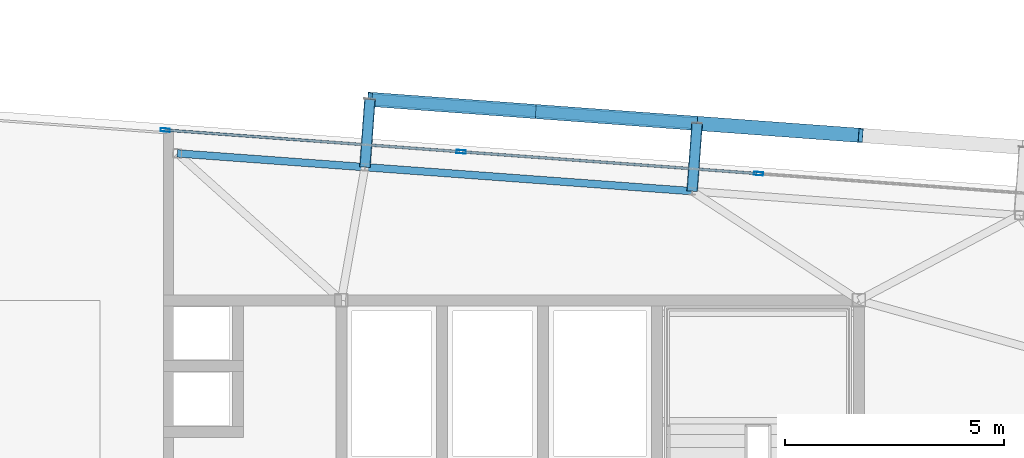
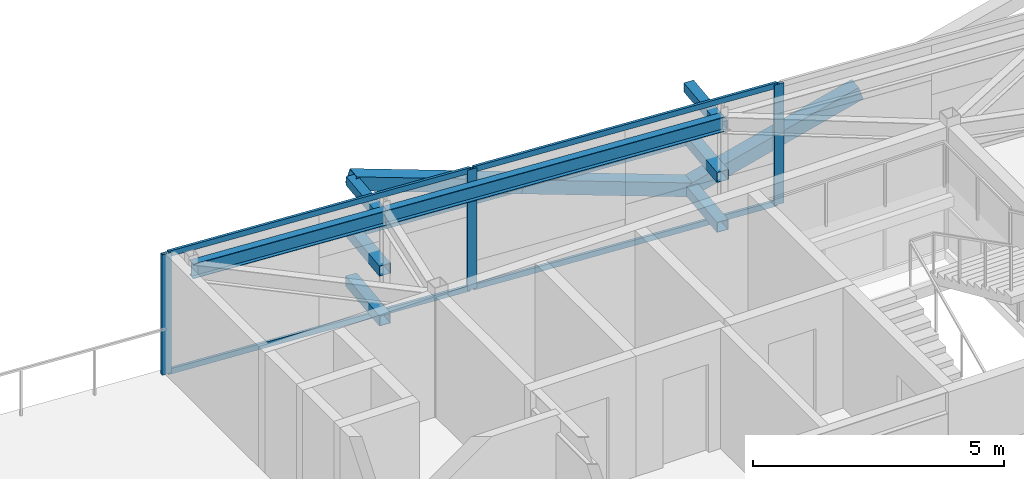
# One storey, part 22 of 36: 17 members, 2 beams, 1 element without a shape of its own.
"""IFC4 building model written with IfcOpenShell, lengths in metres."""

from ifc_helpers import new_model, si_unit, direction, frame, origin, origin_2d, place, context, subcontext, project, spatial, hollow_rectangle, i_section, extrude, source, transform, mapped, material, layer, layer_set, material_profile, profile_set, type_object, element, aggregate, save


model = new_model("IFC4")

# Units and contexts
model_context = context("Model", 3, precision=1e-05, world=origin(), true_north=direction((0.0, 1.0)))
body_context = subcontext(model_context, "Body", "Model", "MODEL_VIEW")
ifc_project = project(units=[si_unit("LENGTHUNIT", "METRE"), si_unit("AREAUNIT", "SQUARE_METRE"), si_unit("VOLUMEUNIT", "CUBIC_METRE"), si_unit("PLANEANGLEUNIT", "RADIAN"), si_unit("MASSUNIT", "GRAM", prefix="KILO")], contexts=[model_context])

# Site, building, storey
site_placement = place(None, origin())
site = spatial("IfcSite", under=ifc_project, at=site_placement, CompositionType="ELEMENT")
building_placement = place(site_placement, origin())
building = spatial("IfcBuilding", under=site, at=building_placement, Name="Taldren Reach Tower", CompositionType="ELEMENT")
storey_placement = place(building_placement, frame((0.0, 0.0, 227.14990234375)))
storey = spatial("IfcBuildingStorey", under=building, at=storey_placement, Name="L69", CompositionType="ELEMENT", Elevation=227.14990234375)

# Members
ifc_material_1 = material(Name="Steel Gr 350 (C350L0)", Category="steel")
ifc_material_profile_1 = material_profile(ifc_material_1, hollow_rectangle(XDim=0.25, YDim=0.25, WallThickness=0.010009765625, at=origin_2d()), Name="250x250x10.0SHS")
ifc_profile_set_1 = profile_set([ifc_material_profile_1], Name="Steel Gr 350 (C350L0)")
member_type_1 = type_object("IfcMemberType", Name="MB-POST250", PredefinedType="POST", material=ifc_profile_set_1)
shared_shape_1 = source(origin(), body_context, "Body", "SweptSolid", [
    extrude(hollow_rectangle(XDim=0.25, YDim=0.25, WallThickness=0.010009765625, at=origin_2d()), origin(), (0.0, 0.0, 1.0), 1.550048828125),
])
for number, where, z_axis, x_axis, name in (
    (1, (39.739501953125, 35.035400390625, 0.22021484375), (0.07323929162, 0.997314396849, 0.0), (-0.997314396849, 0.07323929162, 0.0), "Exoskeleton base diaphragm tie strut B5-N4 L69"),
    (2, (47.199462890625, 34.487548828125, 0.22021484375), (0.07323929162, 0.997314396849, 0.0), (-0.997314396849, 0.07323929162, 0.0), "Exoskeleton base diaphragm tie strut B5-N5 L69"),
    (3, (39.739501953125, 35.035400390625, 1.43505859375), (0.07323929162, 0.997314396849, 0.0), (-0.997314396849, 0.07323929162, 0.0), "Exoskeleton mid-tier diaphragm tie B5-N4 L69"),
    (4, (47.199462890625, 34.487548828125, 1.43505859375), (0.07323929162, 0.997314396849, 0.0), (-0.997314396849, 0.07323929162, 0.0), "Exoskeleton mid-tier diaphragm tie B5-N5 L69"),
):
    element("IfcMember", number, at=place(storey_placement, frame(where, z_axis=z_axis, x_axis=x_axis)), inside=storey, type_object=member_type_1, Name=name, PredefinedType="POST", context=body_context, shape_type="MappedRepresentation", body=[
        mapped(shared_shape_1, transform((0.0, 0.0, 0.0), scale=1.0)),
    ])
ifc_material_2 = material(Name="Steel Gr 450 (C450L0)", Category="steel")
ifc_material_profile_2 = material_profile(ifc_material_2, hollow_rectangle(XDim=0.219970703125, YDim=0.219970703125, WallThickness=0.00830078125, at=origin_2d()), Name="220x220x8.2SHS")
ifc_profile_set_2 = profile_set([ifc_material_profile_2], Name="Steel Gr 450 (C450L0)")
member_type_2 = type_object("IfcMemberType", Name="MB-TIE219", PredefinedType="STRUT", material=ifc_profile_set_2)
shared_shape_2 = source(origin(), body_context, "Body", "SweptSolid", [
    extrude(hollow_rectangle(XDim=0.219970703125, YDim=0.219970703125, WallThickness=0.00830078125, at=origin_2d()), origin(), (0.0, 0.0, 1.0), 1.550048828125),
])
for number, where, z_axis, x_axis, name in (
    (5, (39.739501953125, 35.035400390625, 2.650146484375), (0.07323929162, 0.997314396849, 0.0), (-0.997314396849, 0.07323929162, 0.0), "Exoskeleton diaphragm tie strut B5-N4 L69"),
    (6, (47.199462890625, 34.487548828125, 2.650146484375), (0.07323929162, 0.997314396849, 0.0), (-0.997314396849, 0.07323929162, 0.0), "Exoskeleton diaphragm tie strut B5-N5 L69"),
):
    element("IfcMember", number, at=place(storey_placement, frame(where, z_axis=z_axis, x_axis=x_axis)), inside=storey, type_object=member_type_2, Name=name, PredefinedType="STRUT", context=body_context, shape_type="MappedRepresentation", body=[
        mapped(shared_shape_2, transform((0.0, 0.0, 0.0), scale=1.0)),
    ])

# Beams
ifc_material_3 = material(Name="Steel Gr 350 (350PLUS)", Category="steel")
ifc_material_profile_3 = material_profile(ifc_material_3, i_section(OverallWidth=0.172119140625, OverallDepth=0.35888671875, WebThickness=0.008056640625, FlangeThickness=0.012939453125, at=origin_2d()), Name="360UB56.7")
ifc_profile_set_3 = profile_set([ifc_material_profile_3], Name="Steel Gr 350 (350PLUS)")
beam_type = type_object("IfcBeamType", Name="SP-UB360", PredefinedType="SPANDREL", material=ifc_profile_set_3)
shared_shape_3 = source(origin(), body_context, "Body", "SweptSolid", [
    extrude(i_section(OverallWidth=0.172119140625, OverallDepth=0.35888671875, WebThickness=0.008056640625, FlangeThickness=0.012939453125, at=origin_2d()), origin(), (0.0, 0.0, 1.0), 7.47998046875),
])
beam_1_placement = place(storey_placement, frame((47.199462890625, 34.487548828125, 2.75048828125), z_axis=(-0.997314220642, 0.07324169103, 0.0), x_axis=(-0.07324169103, -0.997314220642, 0.0)))
element("IfcBeam", 7, at=beam_1_placement, inside=storey, type_object=beam_type, Name="Perimeter spandrel B5 N5-N4 L69", PredefinedType="SPANDREL", context=body_context, shape_type="MappedRepresentation", body=[
    mapped(shared_shape_3, transform((0.0, 0.0, 0.0), scale=1.0)),
])
shared_shape_4 = source(origin(), body_context, "Body", "SweptSolid", [
    extrude(i_section(OverallWidth=0.172119140625, OverallDepth=0.35888671875, WebThickness=0.008056640625, FlangeThickness=0.012939453125, at=origin_2d()), origin(), (0.0, 0.0, 1.0), 4.2900390625),
])
beam_2_placement = place(storey_placement, frame((39.739501953125, 35.035400390625, 2.75048828125), z_axis=(-0.997314292471, 0.073240712948, 0.0), x_axis=(-0.073240712948, -0.997314292471, 0.0)))
element("IfcBeam", 8, at=beam_2_placement, inside=storey, type_object=beam_type, Name="Perimeter spandrel B5 N4-PJN2 L69", PredefinedType="SPANDREL", context=body_context, shape_type="MappedRepresentation", body=[
    mapped(shared_shape_4, transform((0.0, 0.0, 0.0), scale=1.0)),
])

# Members
ifc_material_profile_4 = material_profile(ifc_material_2, hollow_rectangle(XDim=0.324951171875, YDim=0.324951171875, WallThickness=0.0126953125, at=origin_2d()), Name="325x325x12.7SHS")
ifc_profile_set_4 = profile_set([ifc_material_profile_4], Name="Steel Gr 450 (C450L0)")
member_type_3 = type_object("IfcMemberType", Name="MB-BR324", PredefinedType="BRACE", material=ifc_profile_set_4)
shared_shape_5 = source(origin(), body_context, "Body", "SweptSolid", [
    extrude(hollow_rectangle(XDim=0.324951171875, YDim=0.324951171875, WallThickness=0.0126953125, at=origin_2d()), origin(), (0.0, 0.0, 1.0), 3.932373046875),
])
for number, where, z_axis, x_axis, name in (
    (9, (47.31298828125, 36.033447265625, 0.22021484375), (-0.948529326954, 0.06965898055, 0.308933232813), (-0.07324169103, -0.997314220642, 0.0), "Exoskeleton Diagrid Brace B5-N3 L69"),
    (10, (43.5830078125, 36.307373046875, 1.43505859375), (-0.948511132845, 0.069657644394, 0.308989390507), (-0.07324169103, -0.997314220642, 0.0), "Exoskeleton Diagrid Brace B5-N3 L69"),
    (11, (47.31298828125, 36.033447265625, 0.22021484375), (0.948529326954, -0.06965898055, 0.308933232813), (0.07324169103, 0.997314220642, 0.0), "Exoskeleton Diagrid Brace B5-N4 L69"),
):
    element("IfcMember", number, at=place(storey_placement, frame(where, z_axis=z_axis, x_axis=x_axis)), inside=storey, type_object=member_type_3, Name=name, PredefinedType="BRACE", context=body_context, shape_type="MappedRepresentation", body=[
        mapped(shared_shape_5, transform((0.0, 0.0, 0.0), scale=1.0)),
    ])
shared_shape_6 = source(origin(), body_context, "Body", "SweptSolid", [
    extrude(hollow_rectangle(XDim=0.25, YDim=0.25, WallThickness=0.010009765625, at=origin_2d()), origin(), (0.0, 0.0, 1.0), 7.47998046875),
])
member_1_placement = place(storey_placement, frame((39.85302734375, 36.581298828125, 1.43505859375), z_axis=(0.997314220642, -0.07324169103, 0.0), x_axis=(0.07324169103, 0.997314220642, 0.0)))
element("IfcMember", 12, at=member_1_placement, inside=storey, type_object=member_type_1, Name="Exoskeleton mid-height ring chord B5-N3 L69", PredefinedType="POST", context=body_context, shape_type="MappedRepresentation", body=[
    mapped(shared_shape_6, transform((0.0, 0.0, 0.0), scale=1.0)),
])

# Curtain wall, members
ifc_material_4 = material(Name="Aluminium and Low-E Glass Unitised System", Category="aluminium")
ifc_layer = layer(ifc_material_4, 0.159912109375)
ifc_layer_set = layer_set([ifc_layer], Name="Aluminium and Low-E Glass Unitised System")
curtain_wall_type = type_object("IfcCurtainWallType", Name="CW-SYS-7", PredefinedType="NOTDEFINED", material=ifc_layer_set)
curtain_wall_placement = place(storey_placement, origin())
curtain_wall = element("IfcCurtainWall", 13, at=curtain_wall_placement, inside=storey, type_object=curtain_wall_type, Name="Unitised curtain wall CW-L69-NEWING", PredefinedType="NOTDEFINED")
ifc_material_5 = material(Name="Anodised Aluminium 6063-T6", Category="aluminium")
ifc_material_profile_5 = material_profile(ifc_material_5, hollow_rectangle(XDim=0.074951171875, YDim=0.2099609375, WallThickness=0.00439453125, at=origin_2d()), Name="ALU-210x75x4.5RHS")
ifc_profile_set_5 = profile_set([ifc_material_profile_5], Name="Anodised Aluminium 6063-T6")
member_type_4 = type_object("IfcMemberType", Name="CW-MUL-200", PredefinedType="MULLION", material=ifc_profile_set_5)
shared_shape_7 = source(origin(), body_context, "Body", "SweptSolid", [
    extrude(hollow_rectangle(XDim=0.074951171875, YDim=0.2099609375, WallThickness=0.00439453125, at=origin_2d()), origin(), (0.0, 0.0, 1.0), 2.93017578125),
])
member_2_placement = place(storey_placement, frame((48.713134765625, 34.8876953125, 0.0), z_axis=(0.0, 0.0, 1.0), x_axis=(-0.073238215265, -0.997314475893, 0.0)))
member_2 = element("IfcMember", 14, at=member_2_placement, type_object=member_type_4, Name="CW-7 mullion 2", PredefinedType="MULLION", context=body_context, shape_type="MappedRepresentation", body=[
    mapped(shared_shape_7, transform((0.0, 0.0, 0.0), scale=1.0)),
])
member_3_placement = place(storey_placement, frame((41.931396484375, 35.3857421875, 0.0), z_axis=(0.0, 0.0, 1.0), x_axis=(-0.073238215265, -0.997314475893, 0.0)))
member_3 = element("IfcMember", 15, at=member_3_placement, type_object=member_type_4, Name="CW-7 mullion 3", PredefinedType="MULLION", context=body_context, shape_type="MappedRepresentation", body=[
    mapped(shared_shape_7, transform((0.0, 0.0, 0.0), scale=1.0)),
])
member_4_placement = place(storey_placement, frame((35.1875, 35.881103515625, 0.0), z_axis=(0.0, 0.0, 1.0), x_axis=(-0.073238215265, -0.997314475893, 0.0)))
member_4 = element("IfcMember", 16, at=member_4_placement, type_object=member_type_4, Name="CW-7 mullion 4", PredefinedType="MULLION", context=body_context, shape_type="MappedRepresentation", body=[
    mapped(shared_shape_7, transform((0.0, 0.0, 0.0), scale=1.0)),
])
ifc_material_profile_6 = material_profile(ifc_material_5, hollow_rectangle(XDim=0.06005859375, YDim=0.135009765625, WallThickness=0.00341796875, at=origin_2d()), Name="ALU-135x60x3.5RHS")
ifc_profile_set_6 = profile_set([ifc_material_profile_6], Name="Anodised Aluminium 6063-T6")
member_type_5 = type_object("IfcMemberType", Name="CW-TRN-150", PredefinedType="USERDEFINED", material=ifc_profile_set_6)
shared_shape_8 = source(origin(), body_context, "Body", "SweptSolid", [
    extrude(hollow_rectangle(XDim=0.06005859375, YDim=0.135009765625, WallThickness=0.00341796875, at=origin_2d()), origin(), (0.0, 0.0, 1.0), 6.687255859375),
])
member_5_placement = place(storey_placement, frame((41.89404296875, 35.388671875, 0.030029296875), z_axis=(-0.997314570781, 0.073236923124, 0.0), x_axis=(-0.073236923124, -0.997314570781, 0.0)))
member_5 = element("IfcMember", 17, at=member_5_placement, type_object=member_type_5, Name="CW-7 transom 3.1", ObjectType="TRANSOM", PredefinedType="USERDEFINED", context=body_context, shape_type="MappedRepresentation", body=[
    mapped(shared_shape_8, transform((0.0, 0.0, 0.0), scale=1.0)),
])
member_6_placement = place(storey_placement, frame((41.89404296875, 35.388671875, 2.900146484375), z_axis=(-0.997314570781, 0.073236923124, 0.0), x_axis=(-0.073236923124, -0.997314570781, 0.0)))
member_6 = element("IfcMember", 18, at=member_6_placement, type_object=member_type_5, Name="CW-7 transom 3.2", ObjectType="TRANSOM", PredefinedType="USERDEFINED", context=body_context, shape_type="MappedRepresentation", body=[
    mapped(shared_shape_8, transform((0.0, 0.0, 0.0), scale=1.0)),
])
shared_shape_9 = source(origin(), body_context, "Body", "SweptSolid", [
    extrude(hollow_rectangle(XDim=0.06005859375, YDim=0.135009765625, WallThickness=0.00341796875, at=origin_2d()), origin(), (0.0, 0.0, 1.0), 6.724609375),
])
member_7_placement = place(storey_placement, frame((48.675537109375, 34.890625, 0.030029296875), z_axis=(-0.997315195027, 0.073228421855, 0.0), x_axis=(-0.073228421855, -0.997315195027, 0.0)))
member_7 = element("IfcMember", 19, at=member_7_placement, type_object=member_type_5, Name="CW-7 transom 2.1", ObjectType="TRANSOM", PredefinedType="USERDEFINED", context=body_context, shape_type="MappedRepresentation", body=[
    mapped(shared_shape_9, transform((0.0, 0.0, 0.0), scale=1.0)),
])
member_8_placement = place(storey_placement, frame((48.675537109375, 34.890625, 2.900146484375), z_axis=(-0.997315195027, 0.073228421855, 0.0), x_axis=(-0.073228421855, -0.997315195027, 0.0)))
member_8 = element("IfcMember", 20, at=member_8_placement, type_object=member_type_5, Name="CW-7 transom 2.2", ObjectType="TRANSOM", PredefinedType="USERDEFINED", context=body_context, shape_type="MappedRepresentation", body=[
    mapped(shared_shape_9, transform((0.0, 0.0, 0.0), scale=1.0)),
])
aggregate(curtain_wall, [member_2, member_3, member_4, member_7, member_8, member_5, member_6])

save(model, "model.ifc")
